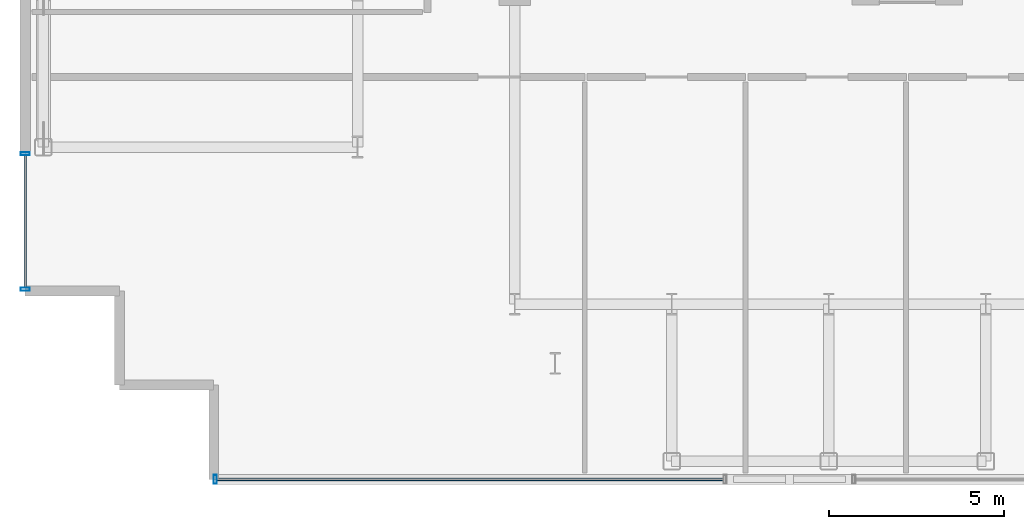
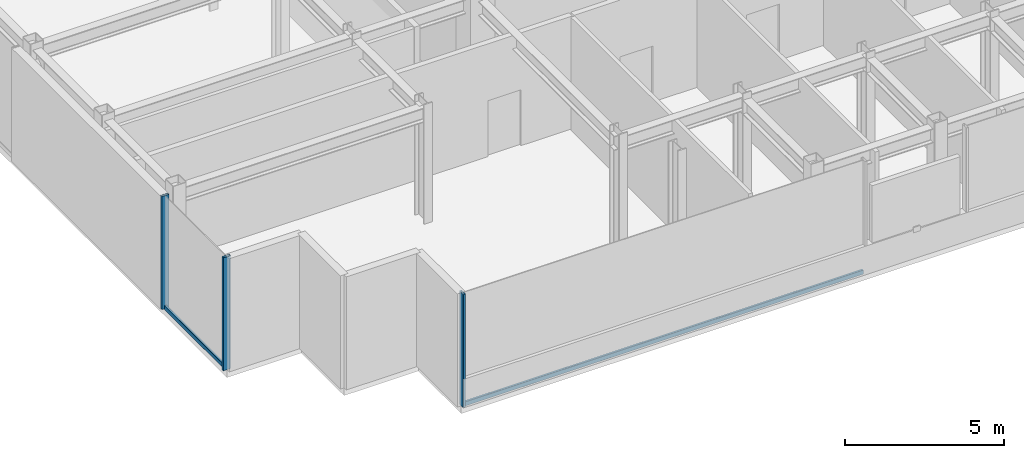
# One storey, part 2 of 18: 5 members, 2 elements without a shape of their own.
"""IFC4 building model written with IfcOpenShell, lengths in metres."""

from ifc_helpers import new_model, si_unit, direction, frame, origin, origin_2d, place, context, subcontext, project, spatial, hollow_rectangle, extrude, source, transform, mapped, material, layer, layer_set, material_profile, profile_set, type_object, element, aggregate, save


model = new_model("IFC4")

# Units and contexts
model_context = context("Model", 3, precision=1e-05, world=origin(), true_north=direction((0.0, 1.0)))
body_context = subcontext(model_context, "Body", "Model", "MODEL_VIEW")
ifc_project = project(units=[si_unit("LENGTHUNIT", "METRE"), si_unit("AREAUNIT", "SQUARE_METRE"), si_unit("VOLUMEUNIT", "CUBIC_METRE"), si_unit("PLANEANGLEUNIT", "RADIAN"), si_unit("MASSUNIT", "GRAM", prefix="KILO")], contexts=[model_context])

# Site, building, storey
site_placement = place(None, origin())
site = spatial("IfcSite", under=ifc_project, at=site_placement, CompositionType="ELEMENT")
building_placement = place(site_placement, origin())
building = spatial("IfcBuilding", under=site, at=building_placement, Name="Nefas-Gora Pilgrimage Tower", CompositionType="ELEMENT")
storey_placement = place(building_placement, frame((0.0, 0.0, 317.800048828125)))
storey = spatial("IfcBuildingStorey", under=building, at=storey_placement, Name="L80", CompositionType="ELEMENT", Elevation=317.800048828125)

# Curtain wall, members
ifc_material_1 = material(Name="Dark ceramic-fritted solar-control aluminium-glass curtain wall", Category="aluminium")
ifc_layer = layer(ifc_material_1, 0.219970703125)
ifc_layer_set = layer_set([ifc_layer], Name="Dark ceramic-fritted solar-control aluminium-glass curtain wall")
curtain_wall_type = type_object("IfcCurtainWallType", Name="CW-SYS-4", PredefinedType="NOTDEFINED", material=ifc_layer_set)
curtain_wall_1_placement = place(storey_placement, origin())
curtain_wall_1 = element("IfcCurtainWall", 1, at=curtain_wall_1_placement, inside=storey, type_object=curtain_wall_type, Name="L80 Unitised Curtain Wall CW4", PredefinedType="NOTDEFINED")
ifc_material_2 = material(Name="Anodised architectural aluminium", Category="aluminium")
ifc_material_profile_1 = material_profile(ifc_material_2, hollow_rectangle(XDim=0.090087890625, YDim=0.260009765625, WallThickness=0.006103515625, InnerFilletRadius=0.006103515625, OuterFilletRadius=0.011962890625, at=origin_2d()), Name="ALU MULLION 90x260")
ifc_profile_set_1 = profile_set([ifc_material_profile_1], Name="Anodised architectural aluminium")
member_type_1 = type_object("IfcMemberType", Name="CWM-MUL-4", PredefinedType="MULLION", material=ifc_profile_set_1)
shared_shape_1 = source(origin(), body_context, "Body", "SweptSolid", [
    extrude(hollow_rectangle(XDim=0.090087890625, YDim=0.260009765625, WallThickness=0.006103515625, InnerFilletRadius=0.006103515625, OuterFilletRadius=0.011962890625, at=origin_2d()), origin(), (0.0, 0.0, 1.0), 4.349853515625),
])
member_1_placement = place(storey_placement, frame((-25.27001953125, -13.695068359375, 0.0), z_axis=(0.0, 0.0, 1.0), x_axis=(0.0, -1.0, 0.0)))
member_1 = element("IfcMember", 2, at=member_1_placement, type_object=member_type_1, Name="CW4 Mullion 1", PredefinedType="MULLION", context=body_context, shape_type="MappedRepresentation", body=[
    mapped(shared_shape_1, transform((0.0, 0.0, 0.0), x_axis=(1.0, 0.0, 0.0), y_axis=(0.0, 1.0, 0.0), z_axis=(0.0, 0.0, 1.0), scale=1.0)),
])
member_2_placement = place(storey_placement, frame((-25.27001953125, -17.574951171875, 0.0), z_axis=(0.0, 0.0, 1.0), x_axis=(0.0, -1.0, 0.0)))
member_2 = element("IfcMember", 3, at=member_2_placement, type_object=member_type_1, Name="CW4 Mullion 2", PredefinedType="MULLION", context=body_context, shape_type="MappedRepresentation", body=[
    mapped(shared_shape_1, transform((0.0, 0.0, 0.0), x_axis=(1.0, 0.0, 0.0), y_axis=(0.0, 1.0, 0.0), z_axis=(0.0, 0.0, 1.0), scale=1.0)),
])

# Curtain wall, member
curtain_wall_2_placement = place(storey_placement, origin())
curtain_wall_2 = element("IfcCurtainWall", 4, at=curtain_wall_2_placement, inside=storey, type_object=curtain_wall_type, Name="L80 Unitised Curtain Wall CW4", PredefinedType="NOTDEFINED")
member_3_placement = place(storey_placement, frame((-19.824951171875, -23.02001953125, 0.0), z_axis=(0.0, 0.0, 1.0), x_axis=(1.0, 0.0, 0.0)))
member_3 = element("IfcMember", 5, at=member_3_placement, type_object=member_type_1, Name="CW4 Mullion 1", PredefinedType="MULLION", context=body_context, shape_type="MappedRepresentation", body=[
    mapped(shared_shape_1, transform((0.0, 0.0, 0.0), x_axis=(1.0, 0.0, 0.0), y_axis=(0.0, 1.0, 0.0), z_axis=(0.0, 0.0, 1.0), scale=1.0)),
])

# Member
ifc_material_profile_2 = material_profile(ifc_material_2, hollow_rectangle(XDim=0.080078125, YDim=0.159912109375, WallThickness=0.00439453125, InnerFilletRadius=0.00439453125, OuterFilletRadius=0.009033203125, at=origin_2d()), Name="ALU TRANSOM 80x160")
ifc_profile_set_2 = profile_set([ifc_material_profile_2], Name="Anodised architectural aluminium")
member_type_2 = type_object("IfcMemberType", Name="CWM-TRN-4", PredefinedType="USERDEFINED", material=ifc_profile_set_2)
shared_shape_2 = source(origin(), body_context, "Body", "SweptSolid", [
    extrude(hollow_rectangle(XDim=0.080078125, YDim=0.159912109375, WallThickness=0.00439453125, InnerFilletRadius=0.00439453125, OuterFilletRadius=0.009033203125, at=origin_2d()), origin(), (0.0, 0.0, 1.0), 3.7900390625),
])
member_4_placement = place(storey_placement, frame((-25.27001953125, -13.739990234375, 0.050048828125), z_axis=(0.0, -1.0, 0.0), x_axis=(1.0, 0.0, 0.0)))
member_4 = element("IfcMember", 6, at=member_4_placement, type_object=member_type_2, Name="CW4 Spandrel Transom", ObjectType="TRANSOM", PredefinedType="USERDEFINED", context=body_context, shape_type="MappedRepresentation", body=[
    mapped(shared_shape_2, transform((0.0, 0.0, 0.0), x_axis=(1.0, 0.0, 0.0), y_axis=(0.0, 1.0, 0.0), z_axis=(0.0, 0.0, 1.0), scale=1.0)),
])

aggregate(curtain_wall_1, [member_1, member_2, member_4])

shared_shape_3 = source(origin(), body_context, "Body", "SweptSolid", [
    extrude(hollow_rectangle(XDim=0.080078125, YDim=0.159912109375, WallThickness=0.00439453125, InnerFilletRadius=0.00439453125, OuterFilletRadius=0.009033203125, at=origin_2d()), origin(), (0.0, 0.0, 1.0), 14.51513671875),
])
member_5_placement = place(storey_placement, frame((-19.780029296875, -23.02001953125, 0.050048828125), z_axis=(1.0, 0.0, 0.0), x_axis=(0.0, 1.0, 0.0)))
member_5 = element("IfcMember", 7, at=member_5_placement, type_object=member_type_2, Name="CW4 Spandrel Transom", ObjectType="TRANSOM", PredefinedType="USERDEFINED", context=body_context, shape_type="MappedRepresentation", body=[
    mapped(shared_shape_3, transform((0.0, 0.0, 0.0), x_axis=(1.0, 0.0, 0.0), y_axis=(0.0, 1.0, 0.0), z_axis=(0.0, 0.0, 1.0), scale=1.0)),
])

aggregate(curtain_wall_2, [member_3, member_5])

save(model, "model.ifc")
